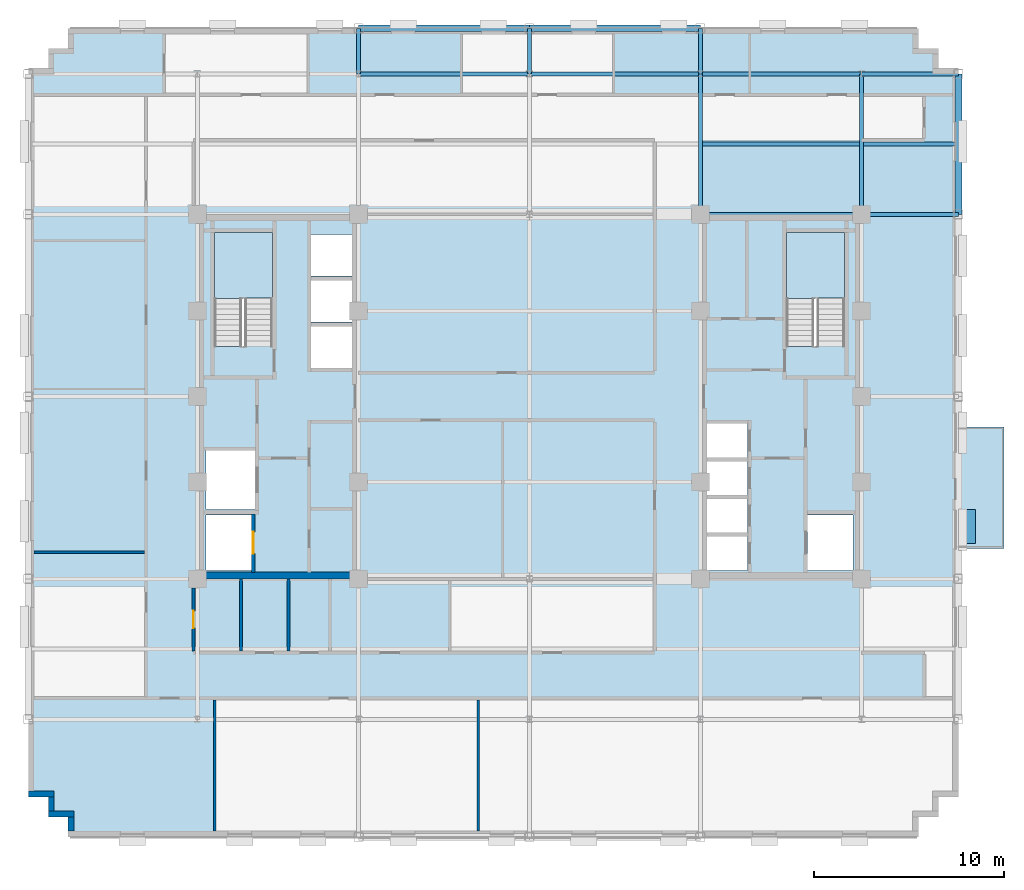
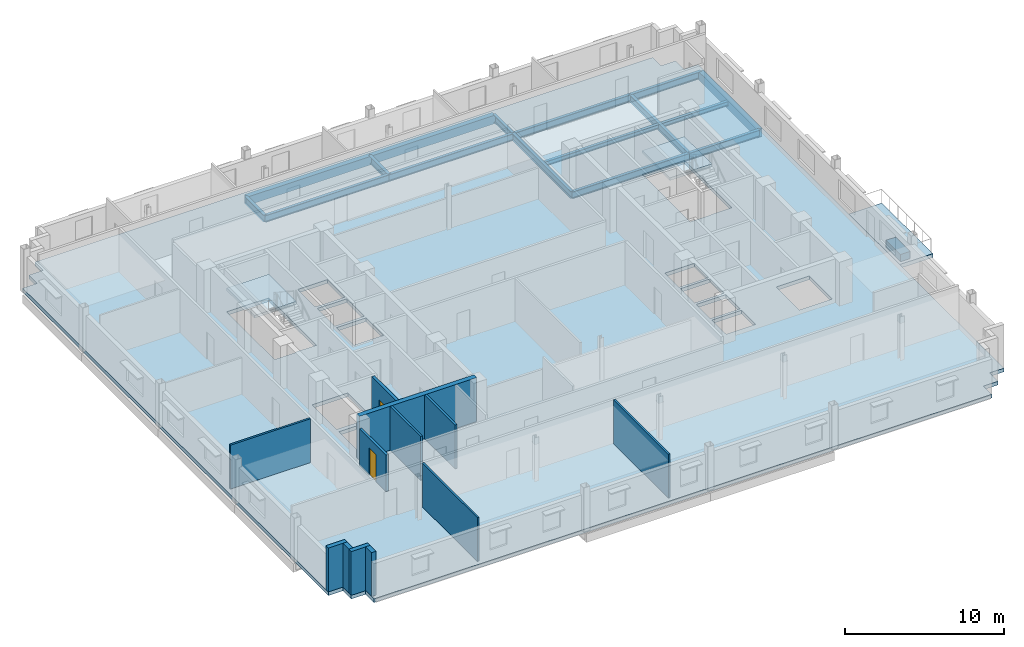
# One storey, part 6 of 15: 16 beams, 12 walls, 4 slabs, 2 doors, 1 plate, 2 openings, 2 elements without a shape of their own.
"""IFC4 building model written with IfcOpenShell, lengths in metres."""

from ifc_helpers import new_model, si_unit, direction, frame, frame_2d, origin, origin_2d, place, context, subcontext, project, spatial, polyline, rectangle, i_section, outline, extrude, source, transform, mapped, material, layer, layer_set, material_profile, profile_set, type_object, type_shapes, element, fill, aggregate, save


model = new_model("IFC4")

# Units and contexts
model_context = context("Model", 3, precision=1e-05, world=origin(), true_north=direction((0.0, 1.0)))
body_context = subcontext(model_context, "Body", "Model", "MODEL_VIEW")
ifc_project = project(units=[si_unit("LENGTHUNIT", "METRE"), si_unit("AREAUNIT", "SQUARE_METRE"), si_unit("VOLUMEUNIT", "CUBIC_METRE"), si_unit("PLANEANGLEUNIT", "RADIAN"), si_unit("MASSUNIT", "GRAM", prefix="KILO")], contexts=[model_context])

# Site, building, storey
site_placement = place(None, origin())
site = spatial("IfcSite", under=ifc_project, at=site_placement, CompositionType="ELEMENT")
building_placement = place(site_placement, origin())
building = spatial("IfcBuilding", under=site, at=building_placement, Name="Nuvemarco Arch Tower", CompositionType="ELEMENT")
storey_placement = place(building_placement, frame((0.0, 0.0, 201.85009765625)))
storey = spatial("IfcBuildingStorey", under=building, at=storey_placement, Name="L53", CompositionType="ELEMENT", Elevation=201.85009765625)

# Beams
ifc_material_1 = material(Name="Steel S355", Category="steel")
ifc_material_profile_1 = material_profile(ifc_material_1, i_section(OverallWidth=0.2109375, OverallDepth=0.5390625, WebThickness=0.01171875, FlangeThickness=0.018798828125, FilletRadius=0.01611328125, at=origin_2d()), Name="W530x109")
ifc_profile_set_1 = profile_set([ifc_material_profile_1], Name="Steel S355")
beam_type_1 = type_object("IfcBeamType", Name="BM-GIRD-530", PredefinedType="BEAM", material=ifc_profile_set_1)
for number, where, z_axis, x_axis, name in (
    (1, (-9.0, 17.0, -0.549560546875), (0.0, 1.0, 0.0), (-1.0, 0.0, 0.0), "L53 structural beam BGNS_L53_0_-9.0_+17.0"),
    (2, (0.0, 17.0, -0.549560546875), (0.0, 1.0, 0.0), (-1.0, 0.0, 0.0), "L53 structural beam BGNS_L53_0_+0.0_+17.0"),
):
    element("IfcBeam", number, at=place(storey_placement, frame(where, z_axis=z_axis, x_axis=x_axis)), inside=storey, type_object=beam_type_1, Name=name, PredefinedType="BEAM", context=body_context, shape_type="SweptSolid", body=[
        extrude(i_section(OverallWidth=0.2109375, OverallDepth=0.5390625, WebThickness=0.01171875, FlangeThickness=0.018798828125, FilletRadius=0.01611328125, at=origin_2d()), origin(), (0.0, 0.0, 1.0), 2.39990234375),
    ])
beam_1_placement = place(storey_placement, frame((9.0, 9.60009765625, -0.549560546875), z_axis=(0.0, 1.0, 0.0), x_axis=(-1.0, 0.0, 0.0)))
element("IfcBeam", 3, at=beam_1_placement, inside=storey, type_object=beam_type_1, Name="L53 structural beam BGNS_L53_0_+9.0_+9.6", PredefinedType="BEAM", context=body_context, shape_type="SweptSolid", body=[
    extrude(i_section(OverallWidth=0.2109375, OverallDepth=0.5390625, WebThickness=0.01171875, FlangeThickness=0.018798828125, FilletRadius=0.01611328125, at=origin_2d()), origin(), (0.0, 0.0, 1.0), 7.39990234375),
])
beam_2_placement = place(storey_placement, frame((9.0, 17.0, -0.549560546875), z_axis=(0.0, 1.0, 0.0), x_axis=(-1.0, 0.0, 0.0)))
element("IfcBeam", 4, at=beam_2_placement, inside=storey, type_object=beam_type_1, Name="L53 structural beam BGNS_L53_0_+9.0_+17.0", PredefinedType="BEAM", context=body_context, shape_type="SweptSolid", body=[
    extrude(i_section(OverallWidth=0.2109375, OverallDepth=0.5390625, WebThickness=0.01171875, FlangeThickness=0.018798828125, FilletRadius=0.01611328125, at=origin_2d()), origin(), (0.0, 0.0, 1.0), 2.39990234375),
])
beam_3_placement = place(storey_placement, frame((17.5, 9.60009765625, -0.549560546875), z_axis=(0.0, 1.0, 0.0), x_axis=(-1.0, 0.0, 0.0)))
element("IfcBeam", 5, at=beam_3_placement, inside=storey, type_object=beam_type_1, Name="L53 structural beam BGNS_L53_0_+17.5_+9.6", PredefinedType="BEAM", context=body_context, shape_type="SweptSolid", body=[
    extrude(i_section(OverallWidth=0.2109375, OverallDepth=0.5390625, WebThickness=0.01171875, FlangeThickness=0.018798828125, FilletRadius=0.01611328125, at=origin_2d()), origin(), (0.0, 0.0, 1.0), 7.39990234375),
])
beam_4_placement = place(storey_placement, frame((9.0, 9.60009765625, -0.549560546875), z_axis=(1.0, 0.0, 0.0), x_axis=(0.0, 1.0, 0.0)))
element("IfcBeam", 6, at=beam_4_placement, inside=storey, type_object=beam_type_1, Name="L53 structural beam BGEW_L53_0_+9.6_+9.0", PredefinedType="BEAM", context=body_context, shape_type="SweptSolid", body=[
    extrude(i_section(OverallWidth=0.2109375, OverallDepth=0.5390625, WebThickness=0.01171875, FlangeThickness=0.018798828125, FilletRadius=0.01611328125, at=origin_2d()), origin(), (0.0, 0.0, 1.0), 8.5),
])
beam_5_placement = place(storey_placement, frame((17.5, 9.60009765625, -0.549560546875), z_axis=(1.0, 0.0, 0.0), x_axis=(0.0, 1.0, 0.0)))
element("IfcBeam", 7, at=beam_5_placement, inside=storey, type_object=beam_type_1, Name="L53 structural beam BGEW_L53_0_+9.6_+17.5", PredefinedType="BEAM", context=body_context, shape_type="SweptSolid", body=[
    extrude(i_section(OverallWidth=0.2109375, OverallDepth=0.5390625, WebThickness=0.01171875, FlangeThickness=0.018798828125, FilletRadius=0.01611328125, at=origin_2d()), origin(), (0.0, 0.0, 1.0), 5.10009765625),
])
for number, where, z_axis, x_axis, name in (
    (8, (-9.0, 17.0, -0.549560546875), (1.0, 0.0, 0.0), (0.0, 1.0, 0.0), "L53 structural beam BGEW_L53_0_+17.0_-9.0"),
    (9, (0.0, 17.0, -0.549560546875), (1.0, 0.0, 0.0), (0.0, 1.0, 0.0), "L53 structural beam BGEW_L53_0_+17.0_+0.0"),
):
    element("IfcBeam", number, at=place(storey_placement, frame(where, z_axis=z_axis, x_axis=x_axis)), inside=storey, type_object=beam_type_1, Name=name, PredefinedType="BEAM", context=body_context, shape_type="SweptSolid", body=[
        extrude(i_section(OverallWidth=0.2109375, OverallDepth=0.5390625, WebThickness=0.01171875, FlangeThickness=0.018798828125, FilletRadius=0.01611328125, at=origin_2d()), origin(), (0.0, 0.0, 1.0), 9.0),
    ])
beam_6_placement = place(storey_placement, frame((9.0, 17.0, -0.549560546875), z_axis=(1.0, 0.0, 0.0), x_axis=(0.0, 1.0, 0.0)))
element("IfcBeam", 10, at=beam_6_placement, inside=storey, type_object=beam_type_1, Name="L53 structural beam BGEW_L53_0_+17.0_+9.0", PredefinedType="BEAM", context=body_context, shape_type="SweptSolid", body=[
    extrude(i_section(OverallWidth=0.2109375, OverallDepth=0.5390625, WebThickness=0.01171875, FlangeThickness=0.018798828125, FilletRadius=0.01611328125, at=origin_2d()), origin(), (0.0, 0.0, 1.0), 8.5),
])
beam_7_placement = place(storey_placement, frame((17.5, 17.0, -0.549560546875), z_axis=(1.0, 0.0, 0.0), x_axis=(0.0, 1.0, 0.0)))
element("IfcBeam", 11, at=beam_7_placement, inside=storey, type_object=beam_type_1, Name="L53 structural beam BGEW_L53_0_+17.0_+17.5", PredefinedType="BEAM", context=body_context, shape_type="SweptSolid", body=[
    extrude(i_section(OverallWidth=0.2109375, OverallDepth=0.5390625, WebThickness=0.01171875, FlangeThickness=0.018798828125, FilletRadius=0.01611328125, at=origin_2d()), origin(), (0.0, 0.0, 1.0), 5.10009765625),
])
ifc_material_profile_2 = material_profile(ifc_material_1, i_section(OverallWidth=0.202880859375, OverallDepth=0.346923828125, WebThickness=0.0078125, FlangeThickness=0.013427734375, FilletRadius=0.014892578125, at=origin_2d()), Name="W360x64")
ifc_profile_set_2 = profile_set([ifc_material_profile_2], Name="Steel S355")
beam_type_2 = type_object("IfcBeamType", Name="BM-JOIST-360", PredefinedType="JOIST", material=ifc_profile_set_2)
beam_8_placement = place(storey_placement, frame((9.10546875, 13.300048828125, -0.45361328125), z_axis=(1.0, 0.0, 0.0), x_axis=(0.0, 1.0, 0.0)))
element("IfcBeam", 12, at=beam_8_placement, inside=storey, type_object=beam_type_2, Name="L53 structural beam BJ_L53_0_+13.3_+9.0", PredefinedType="JOIST", context=body_context, shape_type="SweptSolid", body=[
    extrude(i_section(OverallWidth=0.202880859375, OverallDepth=0.346923828125, WebThickness=0.0078125, FlangeThickness=0.013427734375, FilletRadius=0.014892578125, at=origin_2d()), origin(), (0.0, 0.0, 1.0), 8.2890625),
])
beam_9_placement = place(storey_placement, frame((17.60546875, 13.300048828125, -0.45361328125), z_axis=(1.0, 0.0, 0.0), x_axis=(0.0, 1.0, 0.0)))
element("IfcBeam", 13, at=beam_9_placement, inside=storey, type_object=beam_type_2, Name="L53 structural beam BJ_L53_0_+13.3_+17.5", PredefinedType="JOIST", context=body_context, shape_type="SweptSolid", body=[
    extrude(i_section(OverallWidth=0.202880859375, OverallDepth=0.346923828125, WebThickness=0.0078125, FlangeThickness=0.013427734375, FilletRadius=0.014892578125, at=origin_2d()), origin(), (0.0, 0.0, 1.0), 4.819580078125),
])
ifc_material_2 = material(Name="Precast concrete C45/55", Category="concrete")
ifc_material_profile_3 = material_profile(ifc_material_2, rectangle(XDim=0.35009765625, YDim=0.64990234375, at=origin_2d()), Name="PC-SP-350x650")
ifc_profile_set_3 = profile_set([ifc_material_profile_3], Name="Precast concrete C45/55")
beam_type_3 = type_object("IfcBeamType", Name="BM-SPAN-RC", PredefinedType="SPANDREL", material=ifc_profile_set_3)
beam_10_placement = place(storey_placement, frame((22.60009765625, 9.60009765625, -0.60498046875), z_axis=(0.0, 1.0, 0.0), x_axis=(-1.0, 0.0, 0.0)))
element("IfcBeam", 14, at=beam_10_placement, inside=storey, type_object=beam_type_3, Name="L53 structural beam BGNS_L53_0_+22.6_+9.6", PredefinedType="SPANDREL", context=body_context, shape_type="SweptSolid", body=[
    extrude(rectangle(XDim=0.35009765625, YDim=0.64990234375, at=origin_2d()), origin(), (0.0, 0.0, 1.0), 7.39990234375),
])
for number, where, z_axis, x_axis, name in (
    (15, (-9.0, 19.39990234375, -0.60498046875), (1.0, 0.0, 0.0), (0.0, 1.0, 0.0), "L53 structural beam BGEW_L53_0_+19.4_-9.0"),
    (16, (0.0, 19.39990234375, -0.60498046875), (1.0, 0.0, 0.0), (0.0, 1.0, 0.0), "L53 structural beam BGEW_L53_0_+19.4_+0.0"),
):
    element("IfcBeam", number, at=place(storey_placement, frame(where, z_axis=z_axis, x_axis=x_axis)), inside=storey, type_object=beam_type_3, Name=name, PredefinedType="SPANDREL", context=body_context, shape_type="SweptSolid", body=[
        extrude(rectangle(XDim=0.35009765625, YDim=0.64990234375, at=origin_2d()), origin(), (0.0, 0.0, 1.0), 9.0),
    ])

# Slab
ifc_material_3 = material(Name="Concrete C50/60", Category="concrete")
ifc_layer_1 = layer(ifc_material_3, 0.280029296875, Name="SL-FLR-280")
ifc_layer_set_1 = layer_set([ifc_layer_1], Name="Concrete C50/60")
slab_type_1 = type_object("IfcSlabType", Name="SL-FLR-280", PredefinedType="FLOOR", material=ifc_layer_set_1)
slab_1_placement = place(storey_placement, frame((0.0, 0.0, -0.280029296875)))
element("IfcSlab", 17, at=slab_1_placement, inside=storey, type_object=slab_type_1, Name="L53 structural floor slab", PredefinedType="FLOOR", context=body_context, shape_type="SweptSolid", body=[
    extrude(outline(polyline([(-24.300048828125, -23.199951171875), (20.5, -23.199951171875), (20.5, -22.14990234375), (21.550048828125, -22.14990234375), (21.550048828125, -21.10009765625), (22.60009765625, -21.10009765625), (22.60009765625, 17.300048828125), (21.550048828125, 17.300048828125), (21.550048828125, 18.35009765625), (20.5, 18.35009765625), (20.5, 19.39990234375), (-24.300048828125, 19.39990234375), (-24.300048828125, 18.35009765625), (-25.35009765625, 18.35009765625), (-25.35009765625, 17.300048828125), (-26.39990234375, 17.300048828125), (-26.39990234375, -21.10009765625), (-25.35009765625, -21.10009765625), (-25.35009765625, -22.14990234375), (-24.300048828125, -22.14990234375), (-24.300048828125, -23.199951171875)]), holes=[polyline([(-13.5400390625, 2.669921875), (-13.5400390625, 8.64990234375), (-16.60009765625, 8.64990234375), (-16.60009765625, 2.630615234375), (-15.070068359375, 2.630615234375), (-15.070068359375, 2.669921875), (-13.5400390625, 2.669921875)]), polyline([(16.60009765625, 2.669921875), (16.60009765625, 8.64990234375), (13.5400390625, 8.64990234375), (13.5400390625, 2.630615234375), (15.070068359375, 2.630615234375), (15.070068359375, 2.669921875), (16.60009765625, 2.669921875)]), polyline([(-17.050048828125, -9.14990234375), (-14.64990234375, -9.14990234375), (-14.64990234375, -6.25), (-17.050048828125, -6.25), (-17.050048828125, -9.14990234375)]), polyline([(-17.050048828125, -5.949951171875), (-14.449951171875, -5.949951171875), (-14.449951171875, -2.85009765625), (-17.050048828125, -2.85009765625), (-17.050048828125, -5.949951171875)]), polyline([(-11.5, 1.5), (-9.35009765625, 1.5), (-9.35009765625, 3.699951171875), (-11.5, 3.699951171875), (-11.5, 1.5)]), polyline([(-11.5, 3.919921875), (-9.35009765625, 3.919921875), (-9.35009765625, 6.1201171875), (-11.5, 6.1201171875), (-11.5, 3.919921875)]), polyline([(-11.5, 6.340087890625), (-9.35009765625, 6.340087890625), (-9.35009765625, 8.5400390625), (-11.5, 8.5400390625), (-11.5, 6.340087890625)]), polyline([(14.64990234375, -9.14990234375), (17.050048828125, -9.14990234375), (17.050048828125, -6.25), (14.64990234375, -6.25), (14.64990234375, -9.14990234375)]), polyline([(9.35009765625, -9.14990234375), (11.5, -9.14990234375), (11.5, -7.3701171875), (9.35009765625, -7.3701171875), (9.35009765625, -9.14990234375)]), polyline([(9.35009765625, -7.169921875), (11.5, -7.169921875), (11.5, -5.389892578125), (9.35009765625, -5.389892578125), (9.35009765625, -7.169921875)]), polyline([(9.35009765625, -5.18994140625), (11.5, -5.18994140625), (11.5, -3.409912109375), (9.35009765625, -3.409912109375), (9.35009765625, -5.18994140625)]), polyline([(9.35009765625, -3.2099609375), (11.5, -3.2099609375), (11.5, -1.429931640625), (9.35009765625, -1.429931640625), (9.35009765625, -3.2099609375)])]), origin(), (0.0, 0.0, 1.0), 0.280029296875),
])

# Stair, slab
stair_type = type_object("IfcStairType", Name="ST-CORE-20R", PredefinedType="HALF_TURN_STAIR", material=ifc_material_2)
stair_1_placement = place(storey_placement, origin())
stair_1 = element("IfcStair", 18, at=stair_1_placement, inside=storey, type_object=stair_type, Name="L53 Protected Exit Stair ST-1", PredefinedType="HALF_TURN_STAIR")
ifc_layer_2 = layer(ifc_material_2, 0.199951171875, Name="SL-LANDING-200")
ifc_layer_set_2 = layer_set([ifc_layer_2], Name="Precast concrete C45/55")
slab_type_2 = type_object("IfcSlabType", Name="SL-LANDING-200", PredefinedType="LANDING", material=ifc_layer_set_2)
slab_2_placement = place(storey_placement, frame((0.0, 0.0, 1.625)))
slab_2 = element("IfcSlab", 19, at=slab_2_placement, type_object=slab_type_2, Name="ST-20R landing 1", PredefinedType="LANDING", context=body_context, shape_type="SweptSolid", body=[
    extrude(outline(polyline([(-13.5400390625, 5.189453125), (-13.5400390625, 8.64990234375), (-16.60009765625, 8.64990234375), (-16.60009765625, 5.169921875), (-15.070068359375, 5.169921875), (-15.070068359375, 5.189453125), (-13.5400390625, 5.189453125)])), origin(), (0.0, 0.0, 1.0), 0.199951171875),
])
aggregate(stair_1, [slab_2])

stair_2_placement = place(storey_placement, origin())
stair_2 = element("IfcStair", 20, at=stair_2_placement, inside=storey, type_object=stair_type, Name="L53 Protected Exit Stair ST-2", PredefinedType="HALF_TURN_STAIR")
slab_3_placement = place(storey_placement, frame((0.0, 0.0, 1.625)))
slab_3 = element("IfcSlab", 21, at=slab_3_placement, type_object=slab_type_2, Name="ST-20R landing 1", PredefinedType="LANDING", context=body_context, shape_type="SweptSolid", body=[
    extrude(outline(polyline([(16.60009765625, 5.189453125), (16.60009765625, 8.64990234375), (13.5400390625, 8.64990234375), (13.5400390625, 5.169921875), (15.070068359375, 5.169921875), (15.070068359375, 5.189453125), (16.60009765625, 5.189453125)])), origin(), (0.0, 0.0, 1.0), 0.199951171875),
])
aggregate(stair_2, [slab_3])

# Slab
ifc_layer_3 = layer(ifc_material_3, 0.294921875, Name="SL-TR4")
ifc_layer_set_3 = layer_set([ifc_layer_3], Name="Concrete C50/60")
slab_type_3 = type_object("IfcSlabType", Name="SL-TR4", PredefinedType="FLOOR", material=ifc_layer_set_3)
slab_4_placement = place(storey_placement, frame((0.0, 0.0, -0.295166015625)))
element("IfcSlab", 22, at=slab_4_placement, inside=storey, type_object=slab_type_3, Name="L53 outdoor spiral terrace slab 1", PredefinedType="FLOOR", context=body_context, shape_type="SweptSolid", body=[
    extrude(outline(polyline([(22.60009765625, -8.0), (25.0, -8.0), (25.0, -1.60009765625), (22.60009765625, -1.60009765625), (22.60009765625, -8.0)])), origin(), (0.0, 0.0, 1.0), 0.295166015625),
])

# Plate
ifc_layer_4 = layer(ifc_material_2, 0.550048828125, Name="Tree Balcony Structural Planter")
ifc_layer_set_4 = layer_set([ifc_layer_4], Name="Precast concrete C45/55")
plate_type = type_object("IfcPlateType", Name="Tree Balcony Structural Planter", PredefinedType="USERDEFINED", material=ifc_layer_set_4)
shared_shape_1 = source(origin(), body_context, "Body", "SweptSolid", [
    extrude(rectangle(XDim=1.800048828125, YDim=0.699951171875, at=origin_2d()), origin(), (0.0, 0.0, 1.0), 0.550048828125),
])
type_shapes(plate_type, [shared_shape_1])
plate_placement = place(storey_placement, frame((23.14990234375, -6.85009765625, 0.0), z_axis=(0.0, 0.0, 1.0), x_axis=(0.0, 1.0, 0.0)))
element("IfcPlate", 23, at=plate_placement, inside=storey, type_object=plate_type, Name="L53 Tree Balcony Structural Planter", ObjectType="PLANTER", PredefinedType="USERDEFINED", context=body_context, shape_type="MappedRepresentation", body=[
    mapped(shared_shape_1, transform((0.0, 0.0, 0.0), scale=1.0)),
])

# Walls
ifc_layer_5 = layer(ifc_material_2, 0.31005859375, Name="EW-UPP-310")
ifc_layer_set_5 = layer_set([ifc_layer_5], Name="Precast concrete C45/55")
wall_type_1 = type_object("IfcWallType", Name="EW-UPP-310", PredefinedType="STANDARD", material=ifc_layer_set_5)
wall_1_placement = place(storey_placement, frame((-26.39990234375, -20.945068359375, 0.0), z_axis=(0.0, 0.0, 1.0), x_axis=(1.0, 0.0, 0.0)))
element("IfcWall", 24, at=wall_1_placement, inside=storey, type_object=wall_type_1, Name="L53 exterior precast facade wall 17", PredefinedType="STANDARD", context=body_context, shape_type="SweptSolid", body=[
    extrude(rectangle(XDim=1.35986328125, YDim=0.31005859375, at=frame_2d((0.679931640625, 0.0))), origin(), (0.0, 0.0, 1.0), 3.35986328125),
])
wall_2_placement = place(storey_placement, frame((-25.195068359375, -21.843994140625, 0.0), z_axis=(0.0, 0.0, 1.0), x_axis=(0.0, 1.0, 0.0)))
element("IfcWall", 25, at=wall_2_placement, inside=storey, type_object=wall_type_1, Name="L53 exterior precast facade wall 18", PredefinedType="STANDARD", context=body_context, shape_type="SweptSolid", body=[
    extrude(rectangle(XDim=0.748046875, YDim=0.31005859375, at=frame_2d((0.3740234375, 0.0))), origin(), (0.0, 0.0, 1.0), 3.35986328125),
])
wall_3_placement = place(storey_placement, frame((-25.35009765625, -21.9951171875, 0.0), z_axis=(0.0, 0.0, 1.0), x_axis=(1.0, 0.0, 0.0)))
element("IfcWall", 26, at=wall_3_placement, inside=storey, type_object=wall_type_1, Name="L53 exterior precast facade wall 19", PredefinedType="STANDARD", context=body_context, shape_type="SweptSolid", body=[
    extrude(rectangle(XDim=1.360107421875, YDim=0.31005859375, at=frame_2d((0.68017578125, 0.0))), origin(), (0.0, 0.0, 1.0), 3.35986328125),
])
wall_4_placement = place(storey_placement, frame((-24.14501953125, -22.89404296875, 0.0), z_axis=(0.0, 0.0, 1.0), x_axis=(0.0, 1.0, 0.0)))
element("IfcWall", 27, at=wall_4_placement, inside=storey, type_object=wall_type_1, Name="L53 exterior precast facade wall 20", PredefinedType="STANDARD", context=body_context, shape_type="SweptSolid", body=[
    extrude(rectangle(XDim=0.748046875, YDim=0.31005859375, at=frame_2d((0.3740234375, 0.0))), origin(), (0.0, 0.0, 1.0), 3.35986328125),
])
ifc_layer_6 = layer(ifc_material_3, 0.35009765625, Name="WL-CORE-350")
ifc_layer_set_6 = layer_set([ifc_layer_6], Name="Concrete C50/60")
wall_type_2 = type_object("IfcWallType", Name="WL-CORE-350", PredefinedType="SHEAR", material=ifc_layer_set_6)
wall_5_placement = place(storey_placement, frame((-17.5, -9.425048828125, 0.0), z_axis=(0.0, 0.0, 1.0), x_axis=(1.0, 0.0, 0.0)))
element("IfcWall", 28, at=wall_5_placement, inside=storey, type_object=wall_type_2, Name="L53 W-core shear wall S", PredefinedType="SHEAR", context=body_context, shape_type="SweptSolid", body=[
    extrude(rectangle(XDim=8.5, YDim=0.35009765625, at=frame_2d((4.25, 0.0))), origin(), (0.0, 0.0, 1.0), 3.369873046875),
])

# Wall, opening, door
ifc_material_4 = material(Name="Fire-rated gypsum drywall partition")
ifc_layer_7 = layer(ifc_material_4, 0.179931640625, Name="WL-CORR-180")
ifc_layer_set_7 = layer_set([ifc_layer_7], Name="Fire-rated gypsum drywall partition")
wall_type_3 = type_object("IfcWallType", Name="WL-CORR-180", PredefinedType="PARTITIONING", material=ifc_layer_set_7)
wall_6_placement = place(storey_placement, frame((-17.699951171875, -13.4140625, 0.0), z_axis=(0.0, 0.0, 1.0), x_axis=(0.0, 1.0, 0.0)))
wall_6 = element("IfcWall", 29, at=wall_6_placement, inside=storey, type_object=wall_type_3, Name="L53 interior wall IW-L53-018", PredefinedType="PARTITIONING", context=body_context, shape_type="SweptSolid", body=[
    extrude(rectangle(XDim=3.343017578125, YDim=0.179931640625, at=frame_2d((1.67138671875, 0.0))), origin(), (0.0, 0.0, 1.0), 2.81591796875),
])
opening_1_placement = place(wall_6_placement, frame((1.221435546875, 0.0, 0.0)))
opening_1 = element("IfcOpeningElement", 30, at=opening_1_placement, cuts=wall_6, Name="Opening ID-3", PredefinedType="OPENING", context=body_context, shape_type="SweptSolid", body=[
    extrude(rectangle(XDim=0.89990234375, YDim=2.10009765625, at=frame_2d((0.449951171875, 1.050048828125))), frame((0.0, 0.099853515625, 0.0), z_axis=(0.0, -1.0, 0.0), x_axis=(1.0, 0.0, 0.0)), (0.0, 0.0, 1.0), 0.199951171875),
])
ifc_material_5 = material(Name="Veneered oak timber fire door", Category="wood")
door_type_1 = type_object("IfcDoorType", Name="DR-WC-ACC", OperationType="NOTDEFINED", PredefinedType="DOOR", material=ifc_material_5)
shared_shape_2 = source(origin(), body_context, "Body", "SweptSolid", [
    extrude(rectangle(XDim=0.89990234375, YDim=2.10009765625, at=frame_2d((0.449951171875, 1.050048828125))), frame((0.0, 0.02490234375, 0.0), z_axis=(0.0, -1.0, 0.0), x_axis=(1.0, 0.0, 0.0)), (0.0, 0.0, 1.0), 0.050048828125),
])
type_shapes(door_type_1, [shared_shape_2])
door_1_placement = place(opening_1_placement, origin())
door_1 = element("IfcDoor", 31, at=door_1_placement, inside=storey, type_object=door_type_1, Name="L53 door DR-L53-WC_M", OperationType="SINGLE_SWING_RIGHT", OverallHeight=2.10009765625, OverallWidth=0.89990234375, PredefinedType="DOOR", context=body_context, shape_type="MappedRepresentation", body=[
    mapped(shared_shape_2, transform((0.0, 0.0, 0.0), scale=1.0)),
])
fill(opening_1, door_1)

# Walls
ifc_material_6 = material(Name="Glazed acoustic office partition")
ifc_layer_8 = layer(ifc_material_6, 0.1298828125, Name="WL-EXEC-130")
ifc_layer_set_8 = layer_set([ifc_layer_8], Name="Glazed acoustic office partition")
wall_type_4 = type_object("IfcWallType", Name="WL-EXEC-130", PredefinedType="PARTITIONING", material=ifc_layer_set_8)
for number, where, z_axis, x_axis, name in (
    (32, (-16.570068359375, -22.889892578125, 0.0), (0.0, 0.0, 1.0), (0.0, 1.0, 0.0), "L53 interior wall IW-L53-020"),
    (33, (-2.7099609375, -22.889892578125, 0.0), (0.0, 0.0, 1.0), (0.0, 1.0, 0.0), "L53 interior wall IW-L53-027"),
):
    element("IfcWall", number, at=place(storey_placement, frame(where, z_axis=z_axis, x_axis=x_axis)), inside=storey, type_object=wall_type_4, Name=name, PredefinedType="PARTITIONING", context=body_context, shape_type="SweptSolid", body=[
        extrude(rectangle(XDim=6.90380859375, YDim=0.1298828125, at=frame_2d((3.451904296875, 0.0))), origin(), (0.0, 0.0, 1.0), 3.35986328125),
    ])
ifc_material_7 = material(Name="Gypsum plasterboard partition")
ifc_layer_9 = layer(ifc_material_7, 0.139892578125, Name="WL-ROOM-140")
ifc_layer_set_9 = layer_set([ifc_layer_9], Name="Gypsum plasterboard partition")
wall_type_5 = type_object("IfcWallType", Name="WL-ROOM-140", PredefinedType="PARTITIONING", material=ifc_layer_set_9)
wall_7_placement = place(storey_placement, frame((-26.090087890625, -8.199951171875, 0.0), z_axis=(0.0, 0.0, 1.0), x_axis=(1.0, 0.0, 0.0)))
element("IfcWall", 34, at=wall_7_placement, inside=storey, type_object=wall_type_5, Name="L53 interior wall IW-L53-006", PredefinedType="PARTITIONING", context=body_context, shape_type="SweptSolid", body=[
    extrude(rectangle(XDim=5.80419921875, YDim=0.139892578125, at=frame_2d((2.902099609375, 0.0))), origin(), (0.0, 0.0, 1.0), 3.35986328125),
])

# Wall, opening, door
ifc_layer_10 = layer(ifc_material_3, 0.199951171875, Name="WL-SHAFT-220")
ifc_layer_set_10 = layer_set([ifc_layer_10], Name="Concrete C50/60")
wall_type_6 = type_object("IfcWallType", Name="WL-SHAFT-220", PredefinedType="SHEAR", material=ifc_layer_set_10)
wall_8_placement = place(storey_placement, frame((-14.550048828125, -9.2548828125, 0.0), z_axis=(0.0, 0.0, 1.0), x_axis=(0.0, 1.0, 0.0)))
wall_8 = element("IfcWall", 35, at=wall_8_placement, inside=storey, type_object=wall_type_6, Name="L53 structural shaft wall SW-L53-W-SHE", PredefinedType="SHEAR", context=body_context, shape_type="SweptSolid", body=[
    extrude(rectangle(XDim=3.059814453125, YDim=0.199951171875, at=frame_2d((1.52978515625, 0.0))), origin(), (0.0, 0.0, 1.0), 3.369873046875),
])
opening_2_placement = place(wall_8_placement, frame((0.97998046875, 0.0, 0.0)))
opening_2 = element("IfcOpeningElement", 36, at=opening_2_placement, cuts=wall_8, Name="Opening LD-2", PredefinedType="OPENING", context=body_context, shape_type="SweptSolid", body=[
    extrude(rectangle(XDim=1.14990234375, YDim=2.14990234375, at=frame_2d((0.574951171875, 1.074951171875))), frame((0.0, 0.10986328125, 0.0), z_axis=(0.0, -1.0, 0.0), x_axis=(1.0, 0.0, 0.0)), (0.0, 0.0, 1.0), 0.219970703125),
])
ifc_material_8 = material(Name="Stainless steel lift door", Category="steel")
door_type_2 = type_object("IfcDoorType", Name="DR-LIFT-FIRE", OperationType="DOUBLE_DOOR_SLIDING", PredefinedType="DOOR", material=ifc_material_8)
shared_shape_3 = source(origin(), body_context, "Body", "SweptSolid", [
    extrude(rectangle(XDim=1.14990234375, YDim=2.14990234375, at=frame_2d((0.574951171875, 1.074951171875))), frame((0.0, 0.02490234375, 0.0), z_axis=(0.0, -1.0, 0.0), x_axis=(1.0, 0.0, 0.0)), (0.0, 0.0, 1.0), 0.050048828125),
])
type_shapes(door_type_2, [shared_shape_3])
door_2_placement = place(opening_2_placement, origin())
door_2 = element("IfcDoor", 37, at=door_2_placement, inside=storey, type_object=door_type_2, Name="L53 Lift landing sliding door FFL-1", OperationType="DOUBLE_DOOR_SLIDING", OverallHeight=2.14990234375, OverallWidth=1.14990234375, PredefinedType="DOOR", context=body_context, shape_type="MappedRepresentation", body=[
    mapped(shared_shape_3, transform((0.0, 0.0, 0.0), scale=1.0)),
])
fill(opening_2, door_2)

# Walls
ifc_material_9 = material(Name="Moisture-resistant gypsum partition")
ifc_layer_11 = layer(ifc_material_9, 0.14990234375, Name="WL-WET-150")
ifc_layer_set_11 = layer_set([ifc_layer_11], Name="Moisture-resistant gypsum partition")
wall_type_7 = type_object("IfcWallType", Name="WL-WET-150", PredefinedType="PARTITIONING", material=ifc_layer_set_11)
for number, where, z_axis, x_axis, name in (
    (38, (-15.199951171875, -13.4140625, 0.0), (0.0, 0.0, 1.0), (0.0, 1.0, 0.0), "L53 interior wall IW-L53-021"),
    (39, (-12.699951171875, -13.4140625, 0.0), (0.0, 0.0, 1.0), (0.0, 1.0, 0.0), "L53 interior wall IW-L53-022"),
):
    element("IfcWall", number, at=place(storey_placement, frame(where, z_axis=z_axis, x_axis=x_axis)), inside=storey, type_object=wall_type_7, Name=name, PredefinedType="PARTITIONING", context=body_context, shape_type="SweptSolid", body=[
        extrude(rectangle(XDim=3.81396484375, YDim=0.14990234375, at=frame_2d((1.906982421875, 0.0))), origin(), (0.0, 0.0, 1.0), 3.35986328125),
    ])

save(model, "model.ifc")
